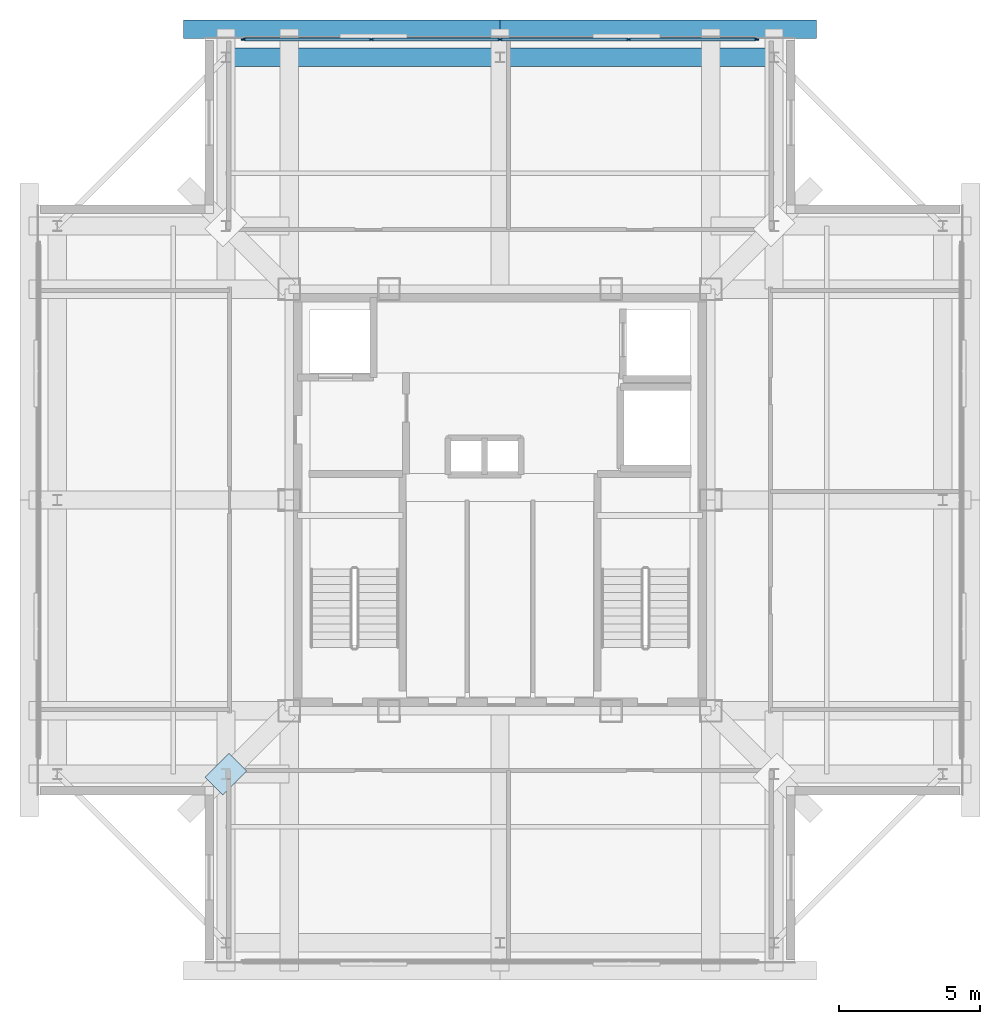
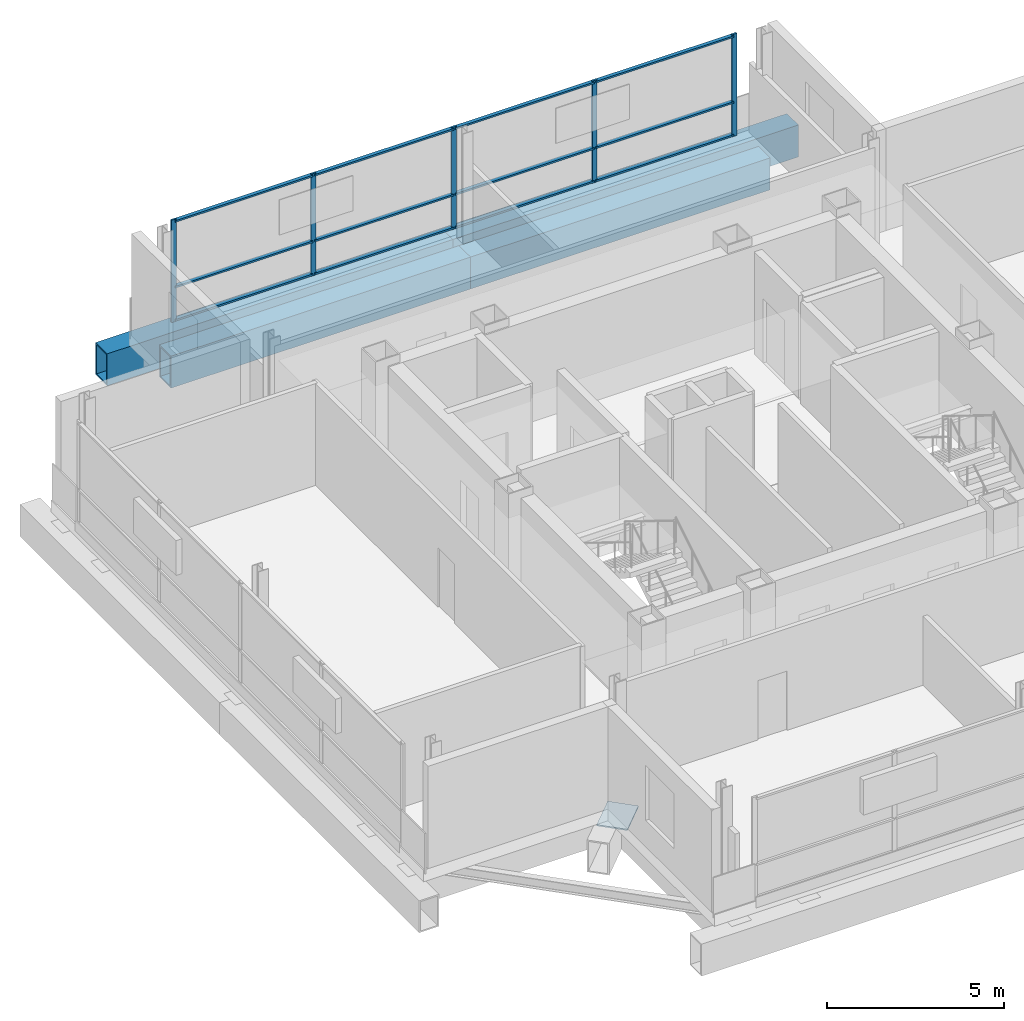
# One storey, part 7 of 12: 17 members, 4 beams, 1 plate, 1 element without a shape of its own.
"""IFC4 building model written with IfcOpenShell, lengths in metres."""

from ifc_helpers import new_model, si_unit, direction, frame, origin, origin_2d, place, context, subcontext, project, spatial, rectangle, hollow_rectangle, extrude, material, layer, layer_set, material_profile, profile_set, type_object, element, aggregate, save


model = new_model("IFC4")

# Units and contexts
model_context = context("Model", 3, precision=1e-05, world=origin(), true_north=direction((0.0, 1.0)))
body_context = subcontext(model_context, "Body", "Model", "MODEL_VIEW")
ifc_project = project(units=[si_unit("LENGTHUNIT", "METRE"), si_unit("AREAUNIT", "SQUARE_METRE"), si_unit("VOLUMEUNIT", "CUBIC_METRE"), si_unit("PLANEANGLEUNIT", "RADIAN"), si_unit("MASSUNIT", "GRAM", prefix="KILO")], contexts=[model_context])

# Site, building, storey
site_placement = place(None, origin())
site = spatial("IfcSite", under=ifc_project, at=site_placement, CompositionType="ELEMENT")
building_placement = place(site_placement, origin())
building = spatial("IfcBuilding", under=site, at=building_placement, Name="Trevonay Congress Spire", CompositionType="ELEMENT")
storey_placement = place(building_placement, frame((0.0, 0.0, 308.39990234375)))
storey = spatial("IfcBuildingStorey", under=building, at=storey_placement, Name="L81", CompositionType="ELEMENT", Elevation=308.39990234375)

# Beams
ifc_material_1 = material(Name="Steel ASTM A572 Grade 50", Category="steel")
ifc_material_profile_1 = material_profile(ifc_material_1, hollow_rectangle(XDim=0.64990234375, YDim=1.10009765625, WallThickness=0.044921875, at=origin_2d()), Name="BOX 1100x650x45")
ifc_profile_set_1 = profile_set([ifc_material_profile_1], Name="Steel ASTM A572 Grade 50")
beam_type = type_object("IfcBeamType", Name="BM-RING-BOX1100", PredefinedType="BEAM", material=ifc_profile_set_1)
for number, where, z_axis, x_axis, name in (
    (1, (-9.75, 15.75, -0.949951171875), (1.0, 0.0, 0.0), (0.0, 1.0, 0.0), "L81 structural beam BM-L81-PN1"),
    (2, (0.0, 15.75, -0.949951171875), (1.0, 0.0, 0.0), (0.0, 1.0, 0.0), "L81 structural beam BM-L81-PN2"),
):
    element("IfcBeam", number, at=place(storey_placement, frame(where, z_axis=z_axis, x_axis=x_axis)), inside=storey, type_object=beam_type, Name=name, PredefinedType="BEAM", context=body_context, shape_type="SweptSolid", body=[
        extrude(hollow_rectangle(XDim=0.64990234375, YDim=1.10009765625, WallThickness=0.044921875, at=origin_2d()), origin(), (0.0, 0.0, 1.0), 9.75),
    ])
for number, where, z_axis, x_axis, name in (
    (3, (-11.25, 16.75, -0.949951171875), (1.0, 0.0, 0.0), (0.0, 1.0, 0.0), "L81 structural beam XOUT-L81-N0"),
    (4, (0.0, 16.75, -0.949951171875), (1.0, 0.0, 0.0), (0.0, 1.0, 0.0), "L81 structural beam XOUT-L81-N1"),
):
    element("IfcBeam", number, at=place(storey_placement, frame(where, z_axis=z_axis, x_axis=x_axis)), inside=storey, type_object=beam_type, Name=name, PredefinedType="BEAM", context=body_context, shape_type="SweptSolid", body=[
        extrude(hollow_rectangle(XDim=0.64990234375, YDim=1.10009765625, WallThickness=0.044921875, at=origin_2d()), origin(), (0.0, 0.0, 1.0), 11.25),
    ])

# Curtain wall, members
ifc_material_2 = material(Name="Pale Anodised Aluminium EN AW-6063-T6", Category="aluminium")
ifc_layer_1 = layer(ifc_material_2, 0.159912109375, Name="Pale Anodised Aluminium EN AW-6063-T6")
ifc_layer_set_1 = layer_set([ifc_layer_1], Name="Pale Anodised Aluminium EN AW-6063-T6")
curtain_wall_type = type_object("IfcCurtainWallType", Name="CW-SYS06-CROWN-PALE-METAL", PredefinedType="NOTDEFINED", material=ifc_layer_set_1)
curtain_wall_placement = place(storey_placement, origin())
curtain_wall = element("IfcCurtainWall", 5, at=curtain_wall_placement, inside=storey, type_object=curtain_wall_type, Name="L81 N unitised curtain wall", PredefinedType="NOTDEFINED")
ifc_material_profile_2 = material_profile(ifc_material_2, rectangle(XDim=0.06005859375, YDim=0.159912109375, at=origin_2d()), Name="CW-MULLION-160-ALUMINIUM")
ifc_profile_set_2 = profile_set([ifc_material_profile_2], Name="Pale Anodised Aluminium EN AW-6063-T6")
member_type_1 = type_object("IfcMemberType", Name="CW-MULLION-160-ALUMINIUM", PredefinedType="MULLION", material=ifc_profile_set_2)
member_1_placement = place(storey_placement, frame((-9.1201171875, 16.3798828125, 0.0), z_axis=(0.0, 0.0, 1.0), x_axis=(0.0, 1.0, 0.0)))
member_1 = element("IfcMember", 6, at=member_1_placement, type_object=member_type_1, Name="CW06 mullion 1", PredefinedType="MULLION", context=body_context, shape_type="SweptSolid", body=[
    extrude(rectangle(XDim=0.06005859375, YDim=0.159912109375, at=origin_2d()), origin(), (0.0, 0.0, 1.0), 3.52001953125),
])
member_2_placement = place(storey_placement, frame((-4.574951171875, 16.3798828125, 0.0), z_axis=(0.0, 0.0, 1.0), x_axis=(0.0, 1.0, 0.0)))
member_2 = element("IfcMember", 7, at=member_2_placement, type_object=member_type_1, Name="CW06 mullion 2", PredefinedType="MULLION", context=body_context, shape_type="SweptSolid", body=[
    extrude(rectangle(XDim=0.06005859375, YDim=0.159912109375, at=origin_2d()), origin(), (0.0, 0.0, 1.0), 3.52001953125),
])
member_3_placement = place(storey_placement, frame((0.0, 16.3798828125, 0.0), z_axis=(0.0, 0.0, 1.0), x_axis=(0.0, 1.0, 0.0)))
member_3 = element("IfcMember", 8, at=member_3_placement, type_object=member_type_1, Name="CW06 mullion 3", PredefinedType="MULLION", context=body_context, shape_type="SweptSolid", body=[
    extrude(rectangle(XDim=0.06005859375, YDim=0.159912109375, at=origin_2d()), origin(), (0.0, 0.0, 1.0), 3.52001953125),
])
member_4_placement = place(storey_placement, frame((4.574951171875, 16.3798828125, 0.0), z_axis=(0.0, 0.0, 1.0), x_axis=(0.0, 1.0, 0.0)))
member_4 = element("IfcMember", 9, at=member_4_placement, type_object=member_type_1, Name="CW06 mullion 4", PredefinedType="MULLION", context=body_context, shape_type="SweptSolid", body=[
    extrude(rectangle(XDim=0.06005859375, YDim=0.159912109375, at=origin_2d()), origin(), (0.0, 0.0, 1.0), 3.52001953125),
])
member_5_placement = place(storey_placement, frame((9.1201171875, 16.3798828125, 0.0), z_axis=(0.0, 0.0, 1.0), x_axis=(0.0, 1.0, 0.0)))
member_5 = element("IfcMember", 10, at=member_5_placement, type_object=member_type_1, Name="CW06 mullion 5", PredefinedType="MULLION", context=body_context, shape_type="SweptSolid", body=[
    extrude(rectangle(XDim=0.06005859375, YDim=0.159912109375, at=origin_2d()), origin(), (0.0, 0.0, 1.0), 3.52001953125),
])
ifc_material_profile_3 = material_profile(ifc_material_2, rectangle(XDim=0.1201171875, YDim=0.06005859375, at=origin_2d()), Name="CW-TRANSOM-120-ALUMINIUM")
ifc_profile_set_3 = profile_set([ifc_material_profile_3], Name="Pale Anodised Aluminium EN AW-6063-T6")
member_type_2 = type_object("IfcMemberType", Name="CW-TRANSOM-120-ALUMINIUM", PredefinedType="USERDEFINED", material=ifc_profile_set_3)
member_6_placement = place(storey_placement, frame((-9.090087890625, 16.3798828125, 0.06005859375), z_axis=(1.0, 0.0, 0.0), x_axis=(0.0, 1.0, 0.0)))
member_6 = element("IfcMember", 11, at=member_6_placement, type_object=member_type_2, Name="CW06 transom 1.1", ObjectType="TRANSOM", PredefinedType="USERDEFINED", context=body_context, shape_type="SweptSolid", body=[
    extrude(rectangle(XDim=0.1201171875, YDim=0.06005859375, at=origin_2d()), origin(), (0.0, 0.0, 1.0), 4.485107421875),
])
member_7_placement = place(storey_placement, frame((-9.090087890625, 16.3798828125, 1.19677734375), z_axis=(1.0, 0.0, 0.0), x_axis=(0.0, 1.0, 0.0)))
member_7 = element("IfcMember", 12, at=member_7_placement, type_object=member_type_2, Name="CW06 transom 1.2", ObjectType="TRANSOM", PredefinedType="USERDEFINED", context=body_context, shape_type="SweptSolid", body=[
    extrude(rectangle(XDim=0.1201171875, YDim=0.06005859375, at=origin_2d()), origin(), (0.0, 0.0, 1.0), 4.485107421875),
])
member_8_placement = place(storey_placement, frame((-9.090087890625, 16.3798828125, 3.460205078125), z_axis=(1.0, 0.0, 0.0), x_axis=(0.0, 1.0, 0.0)))
member_8 = element("IfcMember", 13, at=member_8_placement, type_object=member_type_2, Name="CW06 transom 1.3", ObjectType="TRANSOM", PredefinedType="USERDEFINED", context=body_context, shape_type="SweptSolid", body=[
    extrude(rectangle(XDim=0.1201171875, YDim=0.06005859375, at=origin_2d()), origin(), (0.0, 0.0, 1.0), 4.485107421875),
])
member_9_placement = place(storey_placement, frame((-4.544921875, 16.3798828125, 0.06005859375), z_axis=(1.0, 0.0, 0.0), x_axis=(0.0, 1.0, 0.0)))
member_9 = element("IfcMember", 14, at=member_9_placement, type_object=member_type_2, Name="CW06 transom 2.1", ObjectType="TRANSOM", PredefinedType="USERDEFINED", context=body_context, shape_type="SweptSolid", body=[
    extrude(rectangle(XDim=0.1201171875, YDim=0.06005859375, at=origin_2d()), origin(), (0.0, 0.0, 1.0), 4.514892578125),
])
member_10_placement = place(storey_placement, frame((-4.544921875, 16.3798828125, 1.19677734375), z_axis=(1.0, 0.0, 0.0), x_axis=(0.0, 1.0, 0.0)))
member_10 = element("IfcMember", 15, at=member_10_placement, type_object=member_type_2, Name="CW06 transom 2.2", ObjectType="TRANSOM", PredefinedType="USERDEFINED", context=body_context, shape_type="SweptSolid", body=[
    extrude(rectangle(XDim=0.1201171875, YDim=0.06005859375, at=origin_2d()), origin(), (0.0, 0.0, 1.0), 4.514892578125),
])
member_11_placement = place(storey_placement, frame((-4.544921875, 16.3798828125, 3.460205078125), z_axis=(1.0, 0.0, 0.0), x_axis=(0.0, 1.0, 0.0)))
member_11 = element("IfcMember", 16, at=member_11_placement, type_object=member_type_2, Name="CW06 transom 2.3", ObjectType="TRANSOM", PredefinedType="USERDEFINED", context=body_context, shape_type="SweptSolid", body=[
    extrude(rectangle(XDim=0.1201171875, YDim=0.06005859375, at=origin_2d()), origin(), (0.0, 0.0, 1.0), 4.514892578125),
])
member_12_placement = place(storey_placement, frame((0.030029296875, 16.3798828125, 0.06005859375), z_axis=(1.0, 0.0, 0.0), x_axis=(0.0, 1.0, 0.0)))
member_12 = element("IfcMember", 17, at=member_12_placement, type_object=member_type_2, Name="CW06 transom 3.1", ObjectType="TRANSOM", PredefinedType="USERDEFINED", context=body_context, shape_type="SweptSolid", body=[
    extrude(rectangle(XDim=0.1201171875, YDim=0.06005859375, at=origin_2d()), origin(), (0.0, 0.0, 1.0), 4.514892578125),
])
member_13_placement = place(storey_placement, frame((0.030029296875, 16.3798828125, 1.19677734375), z_axis=(1.0, 0.0, 0.0), x_axis=(0.0, 1.0, 0.0)))
member_13 = element("IfcMember", 18, at=member_13_placement, type_object=member_type_2, Name="CW06 transom 3.2", ObjectType="TRANSOM", PredefinedType="USERDEFINED", context=body_context, shape_type="SweptSolid", body=[
    extrude(rectangle(XDim=0.1201171875, YDim=0.06005859375, at=origin_2d()), origin(), (0.0, 0.0, 1.0), 4.514892578125),
])
member_14_placement = place(storey_placement, frame((0.030029296875, 16.3798828125, 3.460205078125), z_axis=(1.0, 0.0, 0.0), x_axis=(0.0, 1.0, 0.0)))
member_14 = element("IfcMember", 19, at=member_14_placement, type_object=member_type_2, Name="CW06 transom 3.3", ObjectType="TRANSOM", PredefinedType="USERDEFINED", context=body_context, shape_type="SweptSolid", body=[
    extrude(rectangle(XDim=0.1201171875, YDim=0.06005859375, at=origin_2d()), origin(), (0.0, 0.0, 1.0), 4.514892578125),
])
member_15_placement = place(storey_placement, frame((4.60498046875, 16.3798828125, 0.06005859375), z_axis=(1.0, 0.0, 0.0), x_axis=(0.0, 1.0, 0.0)))
member_15 = element("IfcMember", 20, at=member_15_placement, type_object=member_type_2, Name="CW06 transom 4.1", ObjectType="TRANSOM", PredefinedType="USERDEFINED", context=body_context, shape_type="SweptSolid", body=[
    extrude(rectangle(XDim=0.1201171875, YDim=0.06005859375, at=origin_2d()), origin(), (0.0, 0.0, 1.0), 4.485107421875),
])
member_16_placement = place(storey_placement, frame((4.60498046875, 16.3798828125, 1.19677734375), z_axis=(1.0, 0.0, 0.0), x_axis=(0.0, 1.0, 0.0)))
member_16 = element("IfcMember", 21, at=member_16_placement, type_object=member_type_2, Name="CW06 transom 4.2", ObjectType="TRANSOM", PredefinedType="USERDEFINED", context=body_context, shape_type="SweptSolid", body=[
    extrude(rectangle(XDim=0.1201171875, YDim=0.06005859375, at=origin_2d()), origin(), (0.0, 0.0, 1.0), 4.485107421875),
])
member_17_placement = place(storey_placement, frame((4.60498046875, 16.3798828125, 3.460205078125), z_axis=(1.0, 0.0, 0.0), x_axis=(0.0, 1.0, 0.0)))
member_17 = element("IfcMember", 22, at=member_17_placement, type_object=member_type_2, Name="CW06 transom 4.3", ObjectType="TRANSOM", PredefinedType="USERDEFINED", context=body_context, shape_type="SweptSolid", body=[
    extrude(rectangle(XDim=0.1201171875, YDim=0.06005859375, at=origin_2d()), origin(), (0.0, 0.0, 1.0), 4.485107421875),
])
aggregate(curtain_wall, [member_1, member_2, member_3, member_4, member_5, member_6, member_7, member_8, member_9, member_10, member_11, member_12, member_13, member_14, member_15, member_16, member_17])

# Plate
ifc_layer_2 = layer(ifc_material_1, 0.044921875, Name="Steel ASTM A572 Grade 50")
ifc_layer_set_2 = layer_set([ifc_layer_2], Name="Steel ASTM A572 Grade 50")
plate_type = type_object("IfcPlateType", Name="PLT-GUSSET-INT-45", PredefinedType="USERDEFINED", material=ifc_layer_set_2)
plate_placement = place(storey_placement, frame((-9.75, -9.75, -0.972412109375), z_axis=(0.0, 0.0, 1.0), x_axis=(0.707106781187, 0.707106781187, 0.0)))
element("IfcPlate", 23, at=plate_placement, inside=storey, type_object=plate_type, Name="L81 setback column transfer gusset plate KN-01 (SW)", ObjectType="GUSSET_PLATE", PredefinedType="USERDEFINED", context=body_context, shape_type="SweptSolid", body=[
    extrude(rectangle(XDim=1.199951171875, YDim=0.89990234375, at=origin_2d()), origin(), (0.0, 0.0, 1.0), 0.044921875),
])

save(model, "model.ifc")
